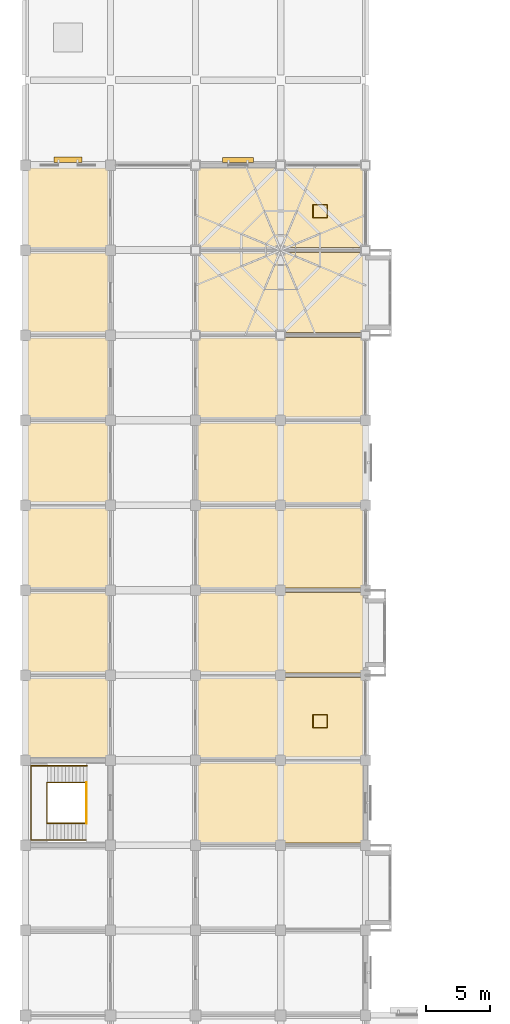
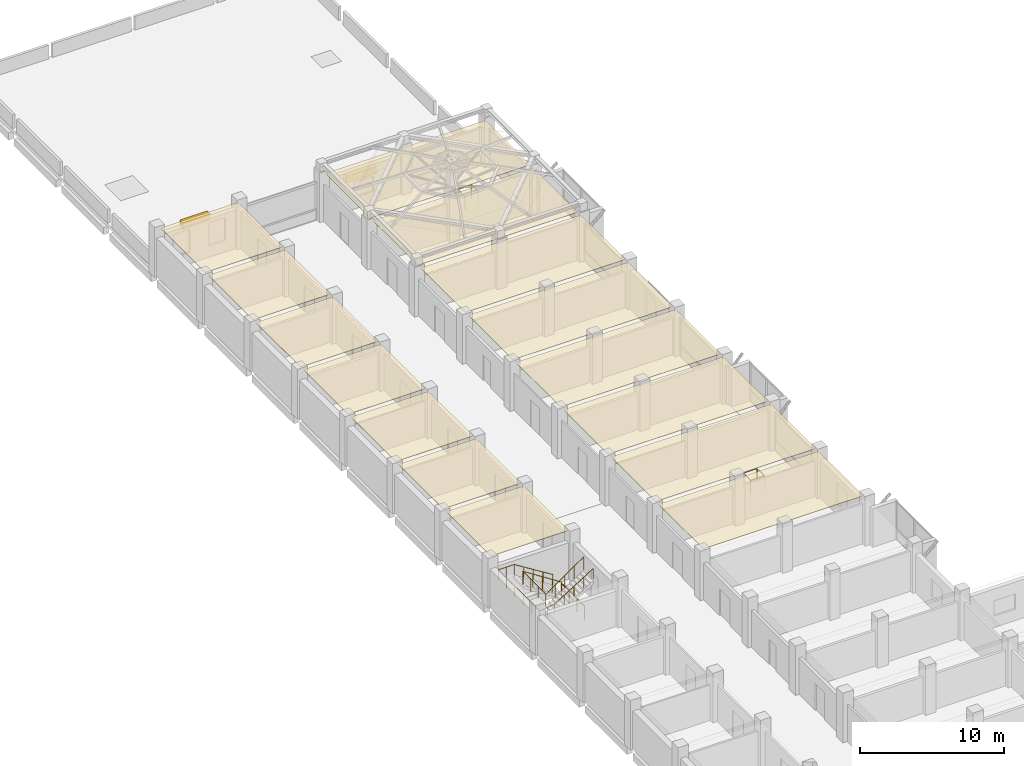
# One storey, part 30 of 30: 15 coverings, 5 railings, 2 shading devices.
"""IFC4 building model written with IfcOpenShell, lengths in metres."""

from ifc_helpers import new_model, si_unit, direction, frame, origin, origin_2d, place, context, subcontext, project, spatial, polyline, rectangle, circle, outline, extrude, material, layer, layer_set, type_object, element, save


model = new_model("IFC4")

# Units and contexts
model_context = context("Model", 3, precision=1e-05, world=origin(), true_north=direction((0.0, 1.0)))
body_context = subcontext(model_context, "Body", "Model", "MODEL_VIEW")
ifc_project = project(units=[si_unit("LENGTHUNIT", "METRE"), si_unit("AREAUNIT", "SQUARE_METRE"), si_unit("VOLUMEUNIT", "CUBIC_METRE"), si_unit("PLANEANGLEUNIT", "RADIAN"), si_unit("MASSUNIT", "GRAM", prefix="KILO")], contexts=[model_context])

# Site, building, storey
site_placement = place(None, origin())
site = spatial("IfcSite", under=ifc_project, at=site_placement, CompositionType="ELEMENT")
building_placement = place(site_placement, origin())
building = spatial("IfcBuilding", under=site, at=building_placement, Name="Rusizi Kubbe Research Institute", CompositionType="ELEMENT")
storey_placement = place(building_placement, frame((0.0, 0.0, 10.199951171875)))
storey = spatial("IfcBuildingStorey", under=building, at=storey_placement, Name="L02", CompositionType="ELEMENT", Elevation=10.199951171875)

# Coverings
ifc_material_1 = material(Name="Mineral-Fibre Acoustic Laboratory Ceiling", Category="masonry")
ifc_layer_1 = layer(ifc_material_1, 0.0400390625)
ifc_layer_set_1 = layer_set([ifc_layer_1], Name="Mineral-Fibre Acoustic Laboratory Ceiling")
covering_type_1 = type_object("IfcCoveringType", Name="CL-ACOUSTIC", PredefinedType="CEILING", material=ifc_layer_set_1)
covering_1_placement = place(storey_placement, frame((0.0, 0.0, 3.81005859375)))
element("IfcCovering", 1, at=covering_1_placement, inside=storey, type_object=covering_type_1, Name="Computational Dry Laboratory Ceiling L02-NW-08", PredefinedType="CEILING", context=body_context, shape_type="SweptSolid", body=[
    extrude(outline(polyline([(13.389892578125, 66.18994140625), (26.2099609375, 66.18994140625), (26.2099609375, 72.409912109375), (13.389892578125, 72.409912109375), (13.389892578125, 66.18994140625)])), origin(), (0.0, 0.0, 1.0), 0.0400390625),
])
covering_2_placement = place(storey_placement, frame((0.0, 0.0, 3.81005859375)))
element("IfcCovering", 2, at=covering_2_placement, inside=storey, type_object=covering_type_1, Name="Write-up Office Ceiling L02-NW-09", PredefinedType="CEILING", context=body_context, shape_type="SweptSolid", body=[
    extrude(outline(polyline([(13.389892578125, 72.7900390625), (26.2099609375, 72.7900390625), (26.2099609375, 79.010009765625), (13.389892578125, 79.010009765625), (13.389892578125, 72.7900390625)])), origin(), (0.0, 0.0, 1.0), 0.0400390625),
])
covering_3_placement = place(storey_placement, frame((0.0, 0.0, 3.81005859375)))
element("IfcCovering", 3, at=covering_3_placement, inside=storey, type_object=covering_type_1, Name="Bioscience Wet Laboratory Ceiling L02-NW-10", PredefinedType="CEILING", context=body_context, shape_type="SweptSolid", body=[
    extrude(outline(polyline([(13.389892578125, 79.389892578125), (26.2099609375, 79.389892578125), (26.2099609375, 85.610107421875), (13.389892578125, 85.610107421875), (13.389892578125, 79.389892578125)])), origin(), (0.0, 0.0, 1.0), 0.0400390625),
])
covering_4_placement = place(storey_placement, frame((0.0, 0.0, 3.81005859375)))
element("IfcCovering", 4, at=covering_4_placement, inside=storey, type_object=covering_type_1, Name="Computational Dry Laboratory Ceiling L02-NW-11", PredefinedType="CEILING", context=body_context, shape_type="SweptSolid", body=[
    extrude(outline(polyline([(13.389892578125, 85.989990234375), (26.2099609375, 85.989990234375), (26.2099609375, 92.2099609375), (13.389892578125, 92.2099609375), (13.389892578125, 85.989990234375)])), origin(), (0.0, 0.0, 1.0), 0.0400390625),
])
covering_5_placement = place(storey_placement, frame((0.0, 0.0, 3.81005859375)))
element("IfcCovering", 5, at=covering_5_placement, inside=storey, type_object=covering_type_1, Name="Write-up Office Ceiling L02-NW-12", PredefinedType="CEILING", context=body_context, shape_type="SweptSolid", body=[
    extrude(outline(polyline([(13.389892578125, 92.590087890625), (26.2099609375, 92.590087890625), (26.2099609375, 98.81005859375), (13.389892578125, 98.81005859375), (13.389892578125, 92.590087890625)])), origin(), (0.0, 0.0, 1.0), 0.0400390625),
])
covering_6_placement = place(storey_placement, frame((0.0, 0.0, 3.81005859375)))
element("IfcCovering", 6, at=covering_6_placement, inside=storey, type_object=covering_type_1, Name="Bioscience Wet Laboratory Ceiling L02-NW-13", PredefinedType="CEILING", context=body_context, shape_type="SweptSolid", body=[
    extrude(outline(polyline([(13.389892578125, 99.18994140625), (26.2099609375, 99.18994140625), (26.2099609375, 105.409912109375), (13.389892578125, 105.409912109375), (13.389892578125, 99.18994140625)])), origin(), (0.0, 0.0, 1.0), 0.0400390625),
])
covering_7_placement = place(storey_placement, frame((0.0, 0.0, 3.81005859375)))
element("IfcCovering", 7, at=covering_7_placement, inside=storey, type_object=covering_type_1, Name="Computational Dry Laboratory Ceiling L02-NW-14", PredefinedType="CEILING", context=body_context, shape_type="SweptSolid", body=[
    extrude(outline(polyline([(13.389892578125, 105.7900390625), (26.2099609375, 105.7900390625), (26.2099609375, 112.010009765625), (13.389892578125, 112.010009765625), (13.389892578125, 105.7900390625)])), origin(), (0.0, 0.0, 1.0), 0.0400390625),
])
covering_8_placement = place(storey_placement, frame((0.0, 0.0, 3.81005859375)))
element("IfcCovering", 8, at=covering_8_placement, inside=storey, type_object=covering_type_1, Name="Write-up Office Ceiling L02-NW-15", PredefinedType="CEILING", context=body_context, shape_type="SweptSolid", body=[
    extrude(outline(polyline([(13.389892578125, 112.389892578125), (26.2099609375, 112.389892578125), (26.2099609375, 118.610107421875), (13.389892578125, 118.610107421875), (13.389892578125, 112.389892578125)])), origin(), (0.0, 0.0, 1.0), 0.0400390625),
])
ifc_material_2 = material(Name="Flush Cleanroom Aluminium HEPA Ceiling Grid", Category="aluminium")
ifc_layer_2 = layer(ifc_material_2, 0.044921875)
ifc_layer_set_2 = layer_set([ifc_layer_2], Name="Flush Cleanroom Aluminium HEPA Ceiling Grid")
covering_type_2 = type_object("IfcCoveringType", Name="CL-HEPA", PredefinedType="CEILING", material=ifc_layer_set_2)
covering_9_placement = place(storey_placement, frame((0.0, 0.0, 3.804931640625)))
element("IfcCovering", 9, at=covering_9_placement, inside=storey, type_object=covering_type_2, Name="Clean Room Gowning Airlock Ceiling L02-ALK-11", PredefinedType="CEILING", context=body_context, shape_type="SweptSolid", body=[
    extrude(outline(polyline([(0.18994140625, 72.7900390625), (6.409912109375, 72.7900390625), (6.409912109375, 79.010009765625), (0.18994140625, 79.010009765625), (0.18994140625, 72.7900390625)])), origin(), (0.0, 0.0, 1.0), 0.045166015625),
])
covering_10_placement = place(storey_placement, frame((0.0, 0.0, 3.804931640625)))
element("IfcCovering", 10, at=covering_10_placement, inside=storey, type_object=covering_type_2, Name="ISO-6 Clean Room Suite Ceiling L02-CR-12", PredefinedType="CEILING", context=body_context, shape_type="SweptSolid", body=[
    extrude(outline(polyline([(0.18994140625, 79.389892578125), (6.409912109375, 79.389892578125), (6.409912109375, 85.610107421875), (0.18994140625, 85.610107421875), (0.18994140625, 79.389892578125)])), origin(), (0.0, 0.0, 1.0), 0.045166015625),
])
covering_11_placement = place(storey_placement, frame((0.0, 0.0, 3.804931640625)))
element("IfcCovering", 11, at=covering_11_placement, inside=storey, type_object=covering_type_2, Name="Clean Room Gowning Airlock Ceiling L02-ALK-13", PredefinedType="CEILING", context=body_context, shape_type="SweptSolid", body=[
    extrude(outline(polyline([(0.18994140625, 85.989990234375), (6.409912109375, 85.989990234375), (6.409912109375, 92.2099609375), (0.18994140625, 92.2099609375), (0.18994140625, 85.989990234375)])), origin(), (0.0, 0.0, 1.0), 0.045166015625),
])
covering_12_placement = place(storey_placement, frame((0.0, 0.0, 3.804931640625)))
element("IfcCovering", 12, at=covering_12_placement, inside=storey, type_object=covering_type_2, Name="ISO-6 Clean Room Suite Ceiling L02-CR-14", PredefinedType="CEILING", context=body_context, shape_type="SweptSolid", body=[
    extrude(outline(polyline([(0.18994140625, 92.590087890625), (6.409912109375, 92.590087890625), (6.409912109375, 98.81005859375), (0.18994140625, 98.81005859375), (0.18994140625, 92.590087890625)])), origin(), (0.0, 0.0, 1.0), 0.045166015625),
])
covering_13_placement = place(storey_placement, frame((0.0, 0.0, 3.804931640625)))
element("IfcCovering", 13, at=covering_13_placement, inside=storey, type_object=covering_type_2, Name="Clean Room Gowning Airlock Ceiling L02-ALK-15", PredefinedType="CEILING", context=body_context, shape_type="SweptSolid", body=[
    extrude(outline(polyline([(0.18994140625, 99.18994140625), (6.409912109375, 99.18994140625), (6.409912109375, 105.409912109375), (0.18994140625, 105.409912109375), (0.18994140625, 99.18994140625)])), origin(), (0.0, 0.0, 1.0), 0.045166015625),
])
covering_14_placement = place(storey_placement, frame((0.0, 0.0, 3.804931640625)))
element("IfcCovering", 14, at=covering_14_placement, inside=storey, type_object=covering_type_2, Name="ISO-6 Clean Room Suite Ceiling L02-CR-16", PredefinedType="CEILING", context=body_context, shape_type="SweptSolid", body=[
    extrude(outline(polyline([(0.18994140625, 105.7900390625), (6.409912109375, 105.7900390625), (6.409912109375, 112.010009765625), (0.18994140625, 112.010009765625), (0.18994140625, 105.7900390625)])), origin(), (0.0, 0.0, 1.0), 0.045166015625),
])
covering_15_placement = place(storey_placement, frame((0.0, 0.0, 3.804931640625)))
element("IfcCovering", 15, at=covering_15_placement, inside=storey, type_object=covering_type_2, Name="Clean Room Metrology Laboratory Ceiling L02-WSP-17", PredefinedType="CEILING", context=body_context, shape_type="SweptSolid", body=[
    extrude(outline(polyline([(0.18994140625, 112.389892578125), (6.409912109375, 112.389892578125), (6.409912109375, 118.610107421875), (0.18994140625, 118.610107421875), (0.18994140625, 112.389892578125)])), origin(), (0.0, 0.0, 1.0), 0.045166015625),
])

# Railings
ifc_material_3 = material(Name="Painted Steel Stair Guard", Category="steel")
railing_type_1 = type_object("IfcRailingType", Name="GR-STAIR", PredefinedType="GUARDRAIL", material=ifc_material_3)
railing_1_placement = place(storey_placement, frame((4.780029296875, 70.889892578125, 0.087646484375)))
element("IfcRailing", 16, at=railing_1_placement, inside=storey, type_object=railing_type_1, Name="Stair Inner Well Guard ST5 L02", PredefinedType="GUARDRAIL", context=body_context, shape_type="SweptSolid", body=[
    extrude(circle(Radius=0.02392578125, at=origin_2d()), frame((0.0, 0.0, 1.09619140625), z_axis=(-0.840361383606, 0.0, 0.542026516828), x_axis=(0.0, -1.0, 0.0)), (0.0, 0.0, 1.0), 3.712890625),
    extrude(circle(Radius=0.02392578125, at=origin_2d()), frame((-3.1201171875, 0.0, 3.1083984375), z_axis=(0.0, -1.0, 0.0), x_axis=(1.0, 0.0, 0.0)), (0.0, 0.0, 1.0), 3.179931640625),
    extrude(circle(Radius=0.02392578125, at=origin_2d()), frame((-3.1201171875, -3.179931640625, 3.1083984375), z_axis=(0.822798317177, 0.0, 0.568333466595), x_axis=(0.0, 1.0, 0.0)), (0.0, 0.0, 1.0), 3.69482421875),
    extrude(circle(Radius=0.02099609375, at=origin_2d()), origin(), (0.0, 0.0, 1.0), 1.072021484375),
    extrude(circle(Radius=0.02099609375, at=origin_2d()), frame((-0.780029296875, 0.0, 0.503173828125)), (0.0, 0.0, 1.0), 1.072021484375),
    extrude(circle(Radius=0.02099609375, at=origin_2d()), frame((-1.56005859375, 0.0, 1.00634765625)), (0.0, 0.0, 1.0), 1.072021484375),
    extrude(circle(Radius=0.02099609375, at=origin_2d()), frame((-2.340087890625, 0.0, 1.50927734375)), (0.0, 0.0, 1.0), 1.072021484375),
    extrude(circle(Radius=0.02099609375, at=origin_2d()), frame((-3.1201171875, 0.0, 2.012451171875)), (0.0, 0.0, 1.0), 1.072021484375),
    extrude(circle(Radius=0.02099609375, at=origin_2d()), frame((-3.1201171875, -1.06005859375, 2.012451171875)), (0.0, 0.0, 1.0), 1.072021484375),
    extrude(circle(Radius=0.02099609375, at=origin_2d()), frame((-3.1201171875, -2.119873046875, 2.012451171875)), (0.0, 0.0, 1.0), 1.072021484375),
    extrude(circle(Radius=0.02099609375, at=origin_2d()), frame((-3.1201171875, -3.179931640625, 2.012451171875)), (0.0, 0.0, 1.0), 1.072021484375),
    extrude(circle(Radius=0.02099609375, at=origin_2d()), frame((-2.360107421875, -3.179931640625, 2.537353515625)), (0.0, 0.0, 1.0), 1.072021484375),
    extrude(circle(Radius=0.02099609375, at=origin_2d()), frame((-1.60009765625, -3.179931640625, 3.0625)), (0.0, 0.0, 1.0), 1.072021484375),
    extrude(circle(Radius=0.02099609375, at=origin_2d()), frame((-0.840087890625, -3.179931640625, 3.58740234375)), (0.0, 0.0, 1.0), 1.072021484375),
    extrude(circle(Radius=0.02099609375, at=origin_2d()), frame((-0.080078125, -3.179931640625, 4.1123046875)), (0.0, 0.0, 1.0), 1.072021484375),
])
railing_2_placement = place(storey_placement, frame((4.75, 70.889892578125, 0.0)))
element("IfcRailing", 17, at=railing_2_placement, inside=storey, type_object=railing_type_1, Name="Stair Floor Edge Guard ST5 L02", PredefinedType="GUARDRAIL", context=body_context, shape_type="SweptSolid", body=[
    extrude(circle(Radius=0.02392578125, at=origin_2d()), frame((0.0, 0.0, 1.09619140625), z_axis=(0.0, -1.0, 0.0), x_axis=(1.0, 0.0, 0.0)), (0.0, 0.0, 1.0), 3.179931640625),
    extrude(circle(Radius=0.02099609375, at=origin_2d()), origin(), (0.0, 0.0, 1.0), 1.072021484375),
    extrude(circle(Radius=0.02099609375, at=origin_2d()), frame((0.0, -1.06005859375, 0.0)), (0.0, 0.0, 1.0), 1.072021484375),
    extrude(circle(Radius=0.02099609375, at=origin_2d()), frame((0.0, -2.119873046875, 0.0)), (0.0, 0.0, 1.0), 1.072021484375),
    extrude(circle(Radius=0.02099609375, at=origin_2d()), frame((0.0, -3.179931640625, 0.0)), (0.0, 0.0, 1.0), 1.072021484375),
])
railing_3_placement = place(storey_placement, frame((22.320068359375, 75.1201171875, 0.0)))
element("IfcRailing", 18, at=railing_3_placement, inside=storey, type_object=railing_type_1, Name="Service Riser Guard L02 NORTHA", PredefinedType="GUARDRAIL", context=body_context, shape_type="SweptSolid", body=[
    extrude(circle(Radius=0.02392578125, at=origin_2d()), frame((0.0, 0.0, 1.09619140625), z_axis=(1.0, 0.0, 0.0), x_axis=(0.0, 1.0, 0.0)), (0.0, 0.0, 1.0), 1.10986328125),
    extrude(circle(Radius=0.02392578125, at=origin_2d()), frame((1.10986328125, 0.0, 1.09619140625), z_axis=(0.0, 1.0, 0.0), x_axis=(-1.0, 0.0, 0.0)), (0.0, 0.0, 1.0), 1.009765625),
    extrude(circle(Radius=0.02392578125, at=origin_2d()), frame((1.10986328125, 1.009765625, 1.09619140625), z_axis=(-1.0, 0.0, 0.0), x_axis=(0.0, -1.0, 0.0)), (0.0, 0.0, 1.0), 1.10986328125),
    extrude(circle(Radius=0.02392578125, at=origin_2d()), frame((0.0, 1.009765625, 1.09619140625), z_axis=(0.0, -1.0, 0.0), x_axis=(1.0, 0.0, 0.0)), (0.0, 0.0, 1.0), 1.009765625),
    extrude(circle(Radius=0.02099609375, at=origin_2d()), origin(), (0.0, 0.0, 1.0), 1.072021484375),
    extrude(circle(Radius=0.02099609375, at=origin_2d()), frame((1.10986328125, 0.0, 0.0)), (0.0, 0.0, 1.0), 1.072021484375),
    extrude(circle(Radius=0.02099609375, at=origin_2d()), frame((1.10986328125, 1.009765625, 0.0)), (0.0, 0.0, 1.0), 1.072021484375),
    extrude(circle(Radius=0.02099609375, at=origin_2d()), frame((0.0, 1.009765625, 0.0)), (0.0, 0.0, 1.0), 1.072021484375),
])
railing_4_placement = place(storey_placement, frame((22.320068359375, 114.719970703125, 0.0)))
element("IfcRailing", 19, at=railing_4_placement, inside=storey, type_object=railing_type_1, Name="Service Riser Guard L02 NORTHB", PredefinedType="GUARDRAIL", context=body_context, shape_type="SweptSolid", body=[
    extrude(circle(Radius=0.02392578125, at=origin_2d()), frame((0.0, 0.0, 1.09619140625), z_axis=(1.0, 0.0, 0.0), x_axis=(0.0, 1.0, 0.0)), (0.0, 0.0, 1.0), 1.10986328125),
    extrude(circle(Radius=0.02392578125, at=origin_2d()), frame((1.10986328125, 0.0, 1.09619140625), z_axis=(0.0, 1.0, 0.0), x_axis=(-1.0, 0.0, 0.0)), (0.0, 0.0, 1.0), 1.010009765625),
    extrude(circle(Radius=0.02392578125, at=origin_2d()), frame((1.10986328125, 1.010009765625, 1.09619140625), z_axis=(-1.0, 0.0, 0.0), x_axis=(0.0, -1.0, 0.0)), (0.0, 0.0, 1.0), 1.10986328125),
    extrude(circle(Radius=0.02392578125, at=origin_2d()), frame((0.0, 1.010009765625, 1.09619140625), z_axis=(0.0, -1.0, 0.0), x_axis=(1.0, 0.0, 0.0)), (0.0, 0.0, 1.0), 1.010009765625),
    extrude(circle(Radius=0.02099609375, at=origin_2d()), origin(), (0.0, 0.0, 1.0), 1.072021484375),
    extrude(circle(Radius=0.02099609375, at=origin_2d()), frame((1.10986328125, 0.0, 0.0)), (0.0, 0.0, 1.0), 1.072021484375),
    extrude(circle(Radius=0.02099609375, at=origin_2d()), frame((1.10986328125, 1.010009765625, 0.0)), (0.0, 0.0, 1.0), 1.072021484375),
    extrude(circle(Radius=0.02099609375, at=origin_2d()), frame((0.0, 1.010009765625, 0.0)), (0.0, 0.0, 1.0), 1.072021484375),
])
ifc_material_4 = material(Name="Brushed Stainless Steel Handrail", Category="steel")
railing_type_2 = type_object("IfcRailingType", Name="HR-STAIR", PredefinedType="HANDRAIL", material=ifc_material_4)
railing_5_placement = place(storey_placement, frame((4.780029296875, 72.179931640625, 0.175048828125)))
element("IfcRailing", 20, at=railing_5_placement, inside=storey, type_object=railing_type_2, Name="Stair Wall Handrail ST5 L02", PredefinedType="HANDRAIL", context=body_context, shape_type="SweptSolid", body=[
    extrude(circle(Radius=0.02392578125, at=origin_2d()), frame((0.0, 0.0, 0.8759765625), z_axis=(-0.847998304005, 0.0, 0.529998940003), x_axis=(0.0, -1.0, 0.0)), (0.0, 0.0, 1.0), 3.632080078125),
    extrude(circle(Radius=0.02392578125, at=origin_2d()), frame((-3.080078125, 0.0, 2.80078125), z_axis=(-1.0, 0.0, 0.0), x_axis=(0.0, -1.0, 0.0)), (0.0, 0.0, 1.0), 1.280029296875),
    extrude(circle(Radius=0.02392578125, at=origin_2d()), frame((-4.360107421875, 0.0, 2.80078125), z_axis=(0.0, -1.0, 0.0), x_axis=(1.0, 0.0, 0.0)), (0.0, 0.0, 1.0), 5.760009765625),
    extrude(circle(Radius=0.02392578125, at=origin_2d()), frame((-4.360107421875, -5.760009765625, 2.80078125), z_axis=(0.989630492691, 0.0, 0.143636652482), x_axis=(0.0, 1.0, 0.0)), (0.0, 0.0, 1.0), 1.21875),
    extrude(circle(Radius=0.02392578125, at=origin_2d()), frame((-3.154052734375, -5.760009765625, 2.97607421875), z_axis=(0.847555548714, 0.0, 0.530706690974), x_axis=(0.0, 1.0, 0.0)), (0.0, 0.0, 1.0), 3.626953125),
    extrude(circle(Radius=0.02099609375, at=origin_2d()), origin(), (0.0, 0.0, 1.0), 0.851806640625),
    extrude(circle(Radius=0.02099609375, at=origin_2d()), frame((-0.77001953125, 0.0, 0.481201171875)), (0.0, 0.0, 1.0), 0.851806640625),
    extrude(circle(Radius=0.02099609375, at=origin_2d()), frame((-1.5400390625, 0.0, 0.96240234375)), (0.0, 0.0, 1.0), 0.851806640625),
    extrude(circle(Radius=0.02099609375, at=origin_2d()), frame((-2.31005859375, 0.0, 1.44384765625)), (0.0, 0.0, 1.0), 0.851806640625),
    extrude(circle(Radius=0.02099609375, at=origin_2d()), frame((-3.080078125, 0.0, 1.925048828125)), (0.0, 0.0, 1.0), 0.851806640625),
    extrude(circle(Radius=0.02099609375, at=origin_2d()), frame((-3.72021484375, 0.0, 1.925048828125)), (0.0, 0.0, 1.0), 0.851806640625),
    extrude(circle(Radius=0.02099609375, at=origin_2d()), frame((-4.360107421875, 0.0, 1.925048828125)), (0.0, 0.0, 1.0), 0.851806640625),
    extrude(circle(Radius=0.02099609375, at=origin_2d()), frame((-4.360107421875, -1.152099609375, 1.925048828125)), (0.0, 0.0, 1.0), 0.851806640625),
    extrude(circle(Radius=0.02099609375, at=origin_2d()), frame((-4.360107421875, -2.303955078125, 1.925048828125)), (0.0, 0.0, 1.0), 0.851806640625),
    extrude(circle(Radius=0.02099609375, at=origin_2d()), frame((-4.360107421875, -3.4560546875, 1.925048828125)), (0.0, 0.0, 1.0), 0.851806640625),
    extrude(circle(Radius=0.02099609375, at=origin_2d()), frame((-4.360107421875, -4.60791015625, 1.925048828125)), (0.0, 0.0, 1.0), 0.851806640625),
    extrude(circle(Radius=0.02099609375, at=origin_2d()), frame((-4.360107421875, -5.760009765625, 1.925048828125)), (0.0, 0.0, 1.0), 0.851806640625),
    extrude(circle(Radius=0.02099609375, at=origin_2d()), frame((-3.757080078125, -5.760009765625, 2.0126953125)), (0.0, 0.0, 1.0), 0.851806640625),
    extrude(circle(Radius=0.02099609375, at=origin_2d()), frame((-3.154052734375, -5.760009765625, 2.10009765625)), (0.0, 0.0, 1.0), 0.851806640625),
    extrude(circle(Radius=0.02099609375, at=origin_2d()), frame((-2.385498046875, -5.760009765625, 2.581298828125)), (0.0, 0.0, 1.0), 0.851806640625),
    extrude(circle(Radius=0.02099609375, at=origin_2d()), frame((-1.6171875, -5.760009765625, 3.0625)), (0.0, 0.0, 1.0), 0.851806640625),
    extrude(circle(Radius=0.02099609375, at=origin_2d()), frame((-0.8486328125, -5.760009765625, 3.543701171875)), (0.0, 0.0, 1.0), 0.851806640625),
    extrude(circle(Radius=0.02099609375, at=origin_2d()), frame((-0.080078125, -5.760009765625, 4.02490234375)), (0.0, 0.0, 1.0), 0.851806640625),
])

# Shading devices
ifc_material_5 = material(Name="Extruded Aluminium Solar Louver", Category="aluminium")
shading_device_type_1 = type_object("IfcShadingDeviceType", Name="SD-01", PredefinedType="SHUTTER", material=ifc_material_5)
shading_device_1_placement = place(storey_placement, frame((16.5, 119.197509765625, 2.090087890625), z_axis=(0.0, 0.0, 1.0), x_axis=(1.0, 0.0, 0.0)))
element("IfcShadingDevice", 21, at=shading_device_1_placement, inside=storey, type_object=shading_device_type_1, Name="Solar Shading Louver SD-01-020", PredefinedType="SHUTTER", context=body_context, shape_type="SweptSolid", body=[
    extrude(rectangle(XDim=2.39990234375, YDim=0.419921875, at=origin_2d()), origin(), (0.0, 0.0, 1.0), 0.60009765625),
])
ifc_material_6 = material(Name="Extruded Aluminium Solar Louver", Category="aluminium")
shading_device_type_2 = type_object("IfcShadingDeviceType", Name="SD-04", PredefinedType="SHUTTER", material=ifc_material_6)
shading_device_2_placement = place(storey_placement, frame((3.300048828125, 119.21240234375, 2.77490234375), z_axis=(0.0, 0.0, 1.0), x_axis=(1.0, 0.0, 0.0)))
element("IfcShadingDevice", 22, at=shading_device_2_placement, inside=storey, type_object=shading_device_type_2, Name="Solar Shading Louver SD-04-019", PredefinedType="SHUTTER", context=body_context, shape_type="SweptSolid", body=[
    extrude(rectangle(XDim=2.199951171875, YDim=0.419921875, at=origin_2d()), origin(), (0.0, 0.0, 1.0), 0.550048828125),
])

save(model, "model.ifc")
